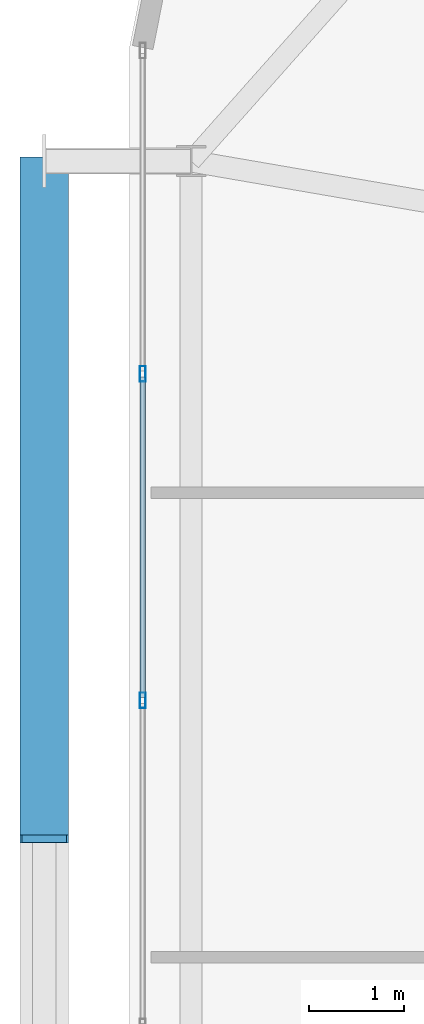
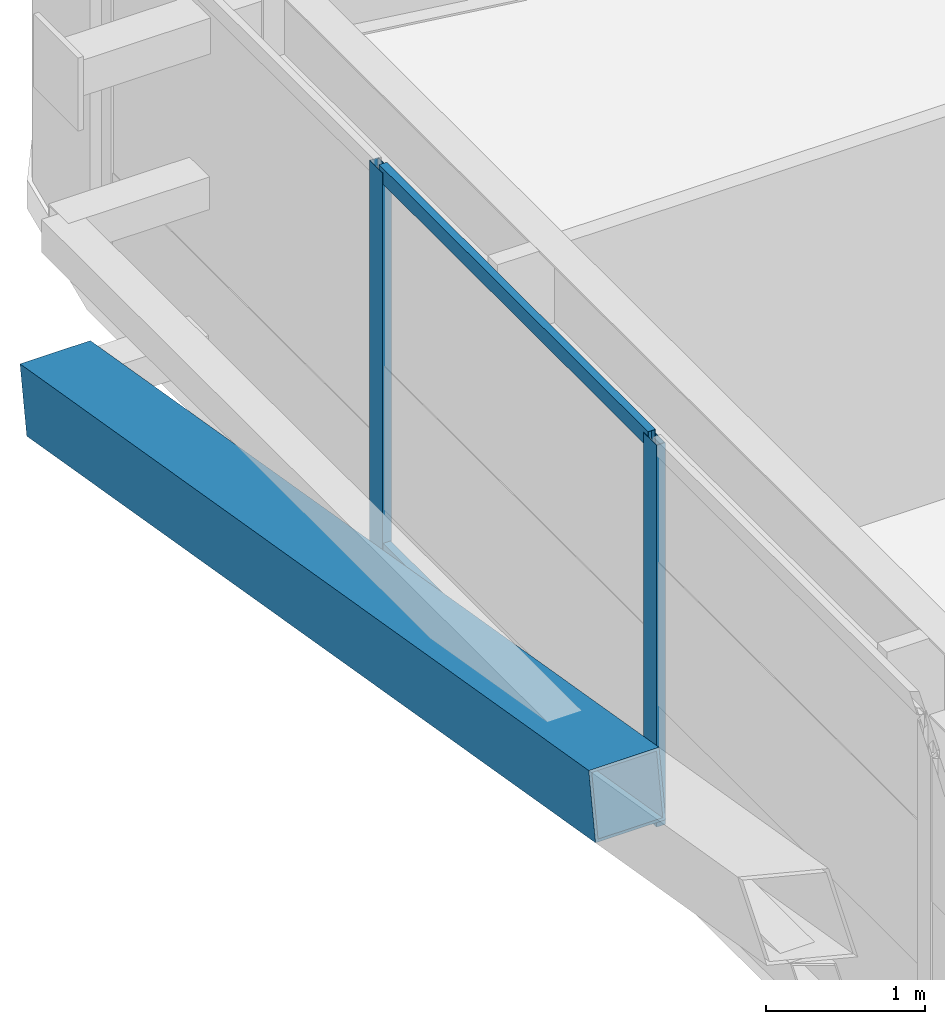
# One storey, part 18 of 58: 5 members, 1 element without a shape of its own.
"""IFC4 building model written with IfcOpenShell, lengths in metres."""

from ifc_helpers import new_model, si_unit, direction, frame, origin, origin_2d, place, context, subcontext, project, spatial, hollow_rectangle, extrude, source, transform, mapped, material, layer, layer_set, material_profile, profile_set, type_object, element, aggregate, save


model = new_model("IFC4")

# Units and contexts
model_context = context("Model", 3, precision=1e-05, world=origin(), true_north=direction((0.0, 1.0)))
body_context = subcontext(model_context, "Body", "Model", "MODEL_VIEW")
ifc_project = project(units=[si_unit("LENGTHUNIT", "METRE"), si_unit("AREAUNIT", "SQUARE_METRE"), si_unit("VOLUMEUNIT", "CUBIC_METRE"), si_unit("PLANEANGLEUNIT", "RADIAN"), si_unit("MASSUNIT", "GRAM", prefix="KILO")], contexts=[model_context])

# Site, building, storey
site_placement = place(None, origin())
site = spatial("IfcSite", under=ifc_project, at=site_placement, CompositionType="ELEMENT")
building_placement = place(site_placement, origin())
building = spatial("IfcBuilding", under=site, at=building_placement, Name="Taldren Reach Tower", CompositionType="ELEMENT")
storey_placement = place(building_placement, frame((0.0, 0.0, 35.699951171875)))
storey = spatial("IfcBuildingStorey", under=building, at=storey_placement, Name="L10", CompositionType="ELEMENT", Elevation=35.699951171875)

# Member
ifc_material_1 = material(Name="Steel Gr 450 (C450L0)", Category="steel")
ifc_material_profile_1 = material_profile(ifc_material_1, hollow_rectangle(XDim=0.510009765625, YDim=0.510009765625, WallThickness=0.02001953125, at=origin_2d()), Name="510x510x20.0SHS")
ifc_profile_set_1 = profile_set([ifc_material_profile_1], Name="Steel Gr 450 (C450L0)")
member_type_1 = type_object("IfcMemberType", Name="MB-EXO508", PredefinedType="BRACE", material=ifc_profile_set_1)
shared_shape_1 = source(origin(), body_context, "Body", "SweptSolid", [
    extrude(hollow_rectangle(XDim=0.510009765625, YDim=0.510009765625, WallThickness=0.02001953125, at=origin_2d()), origin(), (0.0, 0.0, 1.0), 7.252685546875),
])
member_1_placement = place(storey_placement, frame((4.10009765625, 34.300048828125, 0.219970703125), z_axis=(0.0, -0.985865800628, 0.167536930711), x_axis=(1.0, 0.0, 0.0)))
element("IfcMember", 1, at=member_1_placement, inside=storey, type_object=member_type_1, Name="Exoskeleton Diagrid Brace B1-W2 L10", PredefinedType="BRACE", context=body_context, shape_type="MappedRepresentation", body=[
    mapped(shared_shape_1, transform((0.0, 0.0, 0.0), scale=1.0)),
])

# Curtain wall, members
ifc_material_2 = material(Name="Aluminium and Low-E Glass Unitised System", Category="aluminium")
ifc_layer = layer(ifc_material_2, 0.159912109375)
ifc_layer_set = layer_set([ifc_layer], Name="Aluminium and Low-E Glass Unitised System")
curtain_wall_type = type_object("IfcCurtainWallType", Name="CW-SYS-2", PredefinedType="NOTDEFINED", material=ifc_layer_set)
curtain_wall_placement = place(storey_placement, origin())
curtain_wall = element("IfcCurtainWall", 2, at=curtain_wall_placement, inside=storey, type_object=curtain_wall_type, Name="Unitised curtain wall CW-L10-W", PredefinedType="NOTDEFINED")
ifc_material_3 = material(Name="Anodised Aluminium 6063-T6", Category="aluminium")
ifc_material_profile_2 = material_profile(ifc_material_3, hollow_rectangle(XDim=0.06494140625, YDim=0.1650390625, WallThickness=0.00390625, at=origin_2d()), Name="ALU-165x65x4RHS")
ifc_profile_set_2 = profile_set([ifc_material_profile_2], Name="Anodised Aluminium 6063-T6")
member_type_2 = type_object("IfcMemberType", Name="CW-MUL-165", PredefinedType="MULLION", material=ifc_profile_set_2)
shared_shape_2 = source(origin(), body_context, "Body", "SweptSolid", [
    extrude(hollow_rectangle(XDim=0.06494140625, YDim=0.1650390625, WallThickness=0.00390625, at=origin_2d()), origin(), (0.0, 0.0, 1.0), 2.929931640625),
])
member_2_placement = place(storey_placement, frame((5.139892578125, 32.0556640625, 0.0), z_axis=(0.0, 0.0, 1.0), x_axis=(1.0, 0.0, 0.0)))
member_2 = element("IfcMember", 3, at=member_2_placement, type_object=member_type_2, Name="CW-2 mullion 2", PredefinedType="MULLION", context=body_context, shape_type="MappedRepresentation", body=[
    mapped(shared_shape_2, transform((0.0, 0.0, 0.0), scale=1.0)),
])
member_3_placement = place(storey_placement, frame((5.139892578125, 28.611083984375, 0.0), z_axis=(0.0, 0.0, 1.0), x_axis=(1.0, 0.0, 0.0)))
member_3 = element("IfcMember", 4, at=member_3_placement, type_object=member_type_2, Name="CW-2 mullion 3", PredefinedType="MULLION", context=body_context, shape_type="MappedRepresentation", body=[
    mapped(shared_shape_2, transform((0.0, 0.0, 0.0), scale=1.0)),
])
ifc_material_profile_3 = material_profile(ifc_material_3, hollow_rectangle(XDim=0.054931640625, YDim=0.1201171875, WallThickness=0.0029296875, at=origin_2d()), Name="ALU-120x55x3RHS")
ifc_profile_set_3 = profile_set([ifc_material_profile_3], Name="Anodised Aluminium 6063-T6")
member_type_3 = type_object("IfcMemberType", Name="CW-TRN-135", PredefinedType="USERDEFINED", material=ifc_profile_set_3)
shared_shape_3 = source(origin(), body_context, "Body", "SweptSolid", [
    extrude(hollow_rectangle(XDim=0.054931640625, YDim=0.1201171875, WallThickness=0.0029296875, at=origin_2d()), origin(), (0.0, 0.0, 1.0), 3.37939453125),
])
member_4_placement = place(storey_placement, frame((5.139892578125, 32.02294921875, 0.027587890625), z_axis=(0.0, -1.0, 0.0), x_axis=(1.0, 0.0, 0.0)))
member_4 = element("IfcMember", 5, at=member_4_placement, type_object=member_type_3, Name="CW-2 transom 2.1", ObjectType="TRANSOM", PredefinedType="USERDEFINED", context=body_context, shape_type="MappedRepresentation", body=[
    mapped(shared_shape_3, transform((0.0, 0.0, 0.0), scale=1.0)),
])
member_5_placement = place(storey_placement, frame((5.139892578125, 32.02294921875, 2.902587890625), z_axis=(0.0, -1.0, 0.0), x_axis=(1.0, 0.0, 0.0)))
member_5 = element("IfcMember", 6, at=member_5_placement, type_object=member_type_3, Name="CW-2 transom 2.2", ObjectType="TRANSOM", PredefinedType="USERDEFINED", context=body_context, shape_type="MappedRepresentation", body=[
    mapped(shared_shape_3, transform((0.0, 0.0, 0.0), scale=1.0)),
])
aggregate(curtain_wall, [member_2, member_3, member_4, member_5])

save(model, "model.ifc")
